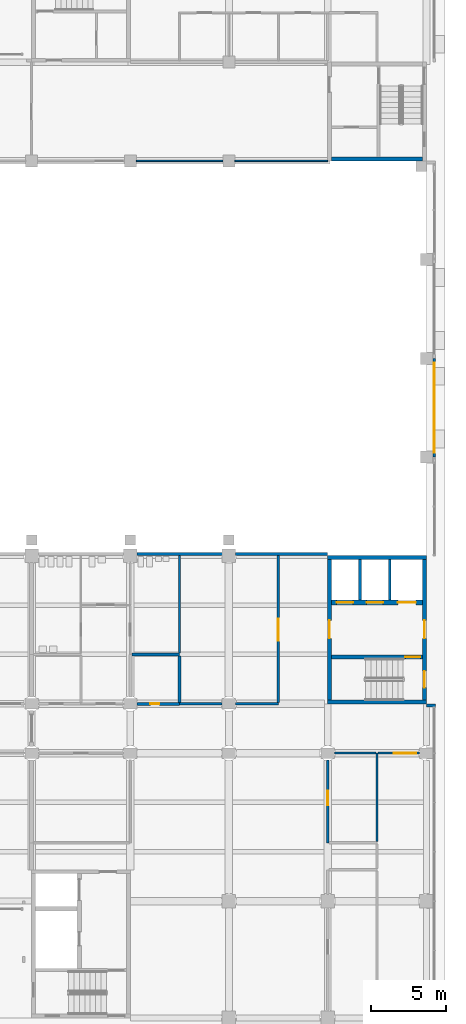
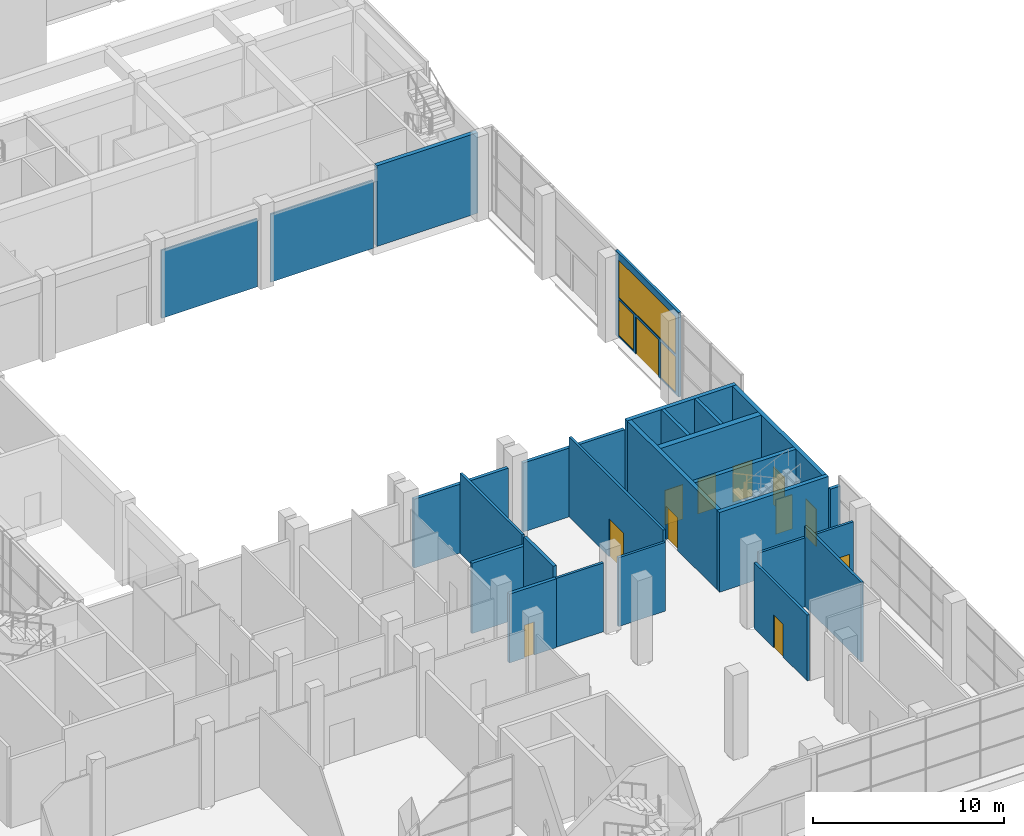
# One storey, part 33 of 85: 26 walls, 12 doors, 3 windows, 15 openings.
"""IFC4 building model written with IfcOpenShell, lengths in metres."""

from ifc_helpers import new_model, si_unit, direction, frame, frame_2d, origin, place, context, subcontext, project, spatial, rectangle, extrude, material, layer, layer_set, type_object, element, fill, save


model = new_model("IFC4")

# Units and contexts
model_context = context("Model", 3, precision=1e-05, world=origin(), true_north=direction((0.0, 1.0)))
body_context = subcontext(model_context, "Body", "Model", "MODEL_VIEW")
ifc_project = project(units=[si_unit("LENGTHUNIT", "METRE"), si_unit("AREAUNIT", "SQUARE_METRE"), si_unit("VOLUMEUNIT", "CUBIC_METRE"), si_unit("PLANEANGLEUNIT", "RADIAN"), si_unit("MASSUNIT", "GRAM", prefix="KILO")], contexts=[model_context])

# Site, building, storey
site_placement = place(None, origin())
site = spatial("IfcSite", under=ifc_project, at=site_placement, CompositionType="ELEMENT")
building_placement = place(site_placement, origin())
building = spatial("IfcBuilding", under=site, at=building_placement, Name="Lantern Court Research Institute", CompositionType="ELEMENT")
storey_placement = place(building_placement, origin())
storey = spatial("IfcBuildingStorey", under=building, at=storey_placement, Name="L00", CompositionType="ELEMENT", Elevation=0.0)

# Wall, opening, door
ifc_material_1 = material(Name="Fire-rated gypsum board partition, mineral wool filled")
ifc_layer_1 = layer(ifc_material_1, 0.199951171875)
ifc_layer_set_1 = layer_set([ifc_layer_1], Name="Fire-rated gypsum board partition, mineral wool filled")
wall_type_1 = type_object("IfcWallType", Name="Compartment wall 200 EI 120", PredefinedType="PARTITIONING", material=ifc_layer_set_1)
wall_1_placement = place(storey_placement, frame((59.85009765625, 13.199951171875, 0.0), z_axis=(0.0, 0.0, 1.0), x_axis=(1.0, 0.0, 0.0)))
wall_1 = element("IfcWall", 1, at=wall_1_placement, inside=storey, type_object=wall_type_1, Name="Compartment wall 200 EI 120", PredefinedType="PARTITIONING", context=body_context, shape_type="SweptSolid", body=[
    extrude(rectangle(XDim=2.849853515625, YDim=0.199951171875, at=frame_2d((1.4248046875, 0.0))), origin(), (0.0, 0.0, 1.0), 4.39990234375),
])
opening_1_placement = place(wall_1_placement, frame((0.89990234375, 0.0, 0.0)))
opening_1 = element("IfcOpeningElement", 2, at=opening_1_placement, cuts=wall_1, Name="Opening D5009", PredefinedType="OPENING", context=body_context, shape_type="SweptSolid", body=[
    extrude(rectangle(XDim=0.60009765625, YDim=2.10009765625, at=frame_2d((0.300048828125, 1.050048828125))), frame((0.0, 0.10986328125, 0.0), z_axis=(0.0, -1.0, 0.0), x_axis=(1.0, 0.0, 0.0)), (0.0, 0.0, 1.0), 0.219970703125),
])
ifc_material_2 = material(Name="Solid-core timber door leaf", Category="wood")
ifc_layer_2 = layer(ifc_material_2, 0.06005859375)
ifc_layer_set_2 = layer_set([ifc_layer_2], Name="Solid-core timber door leaf")
door_type_1 = type_object("IfcDoorType", Name="Service riser door 600 x 2100 single FD60", OperationType="NOTDEFINED", PredefinedType="DOOR", material=ifc_layer_set_2)
door_1_placement = place(opening_1_placement, origin())
door_1 = element("IfcDoor", 3, at=door_1_placement, inside=storey, type_object=door_type_1, Name="Door D5009", OperationType="SINGLE_SWING_RIGHT", OverallHeight=2.10009765625, OverallWidth=0.60009765625, PredefinedType="DOOR", context=body_context, shape_type="SweptSolid", body=[
    extrude(rectangle(XDim=0.60009765625, YDim=2.10009765625, at=frame_2d((0.300048828125, 1.050048828125))), frame((0.0, 0.030029296875, 0.0), z_axis=(0.0, -1.0, 0.0), x_axis=(1.0, 0.0, 0.0)), (0.0, 0.0, 1.0), 0.06005859375),
])
fill(opening_1, door_1)

# Walls
wall_2_placement = place(storey_placement, frame((62.699951171875, 16.5, 0.0), z_axis=(0.0, 0.0, 1.0), x_axis=(-1.0, 0.0, 0.0)))
element("IfcWall", 4, at=wall_2_placement, inside=storey, type_object=wall_type_1, Name="Compartment wall 200 EI 120", PredefinedType="PARTITIONING", context=body_context, shape_type="SweptSolid", body=[
    extrude(rectangle(XDim=3.199951171875, YDim=0.199951171875, at=frame_2d((1.60009765625, 0.0))), origin(), (0.0, 0.0, 1.0), 4.5),
])
wall_3_placement = place(storey_placement, frame((62.699951171875, 13.300048828125, 0.0), z_axis=(0.0, 0.0, 1.0), x_axis=(0.0, 1.0, 0.0)))
element("IfcWall", 5, at=wall_3_placement, inside=storey, type_object=wall_type_1, Name="Compartment wall 200 EI 120", PredefinedType="PARTITIONING", context=body_context, shape_type="SweptSolid", body=[
    extrude(rectangle(XDim=3.099853515625, YDim=0.199951171875, at=frame_2d((1.5498046875, 0.0))), origin(), (0.0, 0.0, 1.0), 5.10009765625),
])

# Wall, openings, windows, door
ifc_material_3 = material(Name="Aluminium alloy 6063-T6", Category="aluminium")
ifc_layer_3 = layer(ifc_material_3, 0.14990234375)
ifc_layer_set_3 = layer_set([ifc_layer_3], Name="Aluminium alloy 6063-T6")
wall_type_2 = type_object("IfcWallType", Name="Entrance screen wall 150 aluminium", PredefinedType="STANDARD", material=ifc_layer_set_3)
wall_4_placement = place(storey_placement, frame((79.72509765625, 36.300048828125, 0.0), z_axis=(0.0, 0.0, 1.0), x_axis=(0.0, -1.0, 0.0)))
wall_4 = element("IfcWall", 6, at=wall_4_placement, inside=storey, type_object=wall_type_2, Name="Exterior wall EW012", PredefinedType="STANDARD", context=body_context, shape_type="SweptSolid", body=[
    extrude(rectangle(XDim=6.60009765625, YDim=0.14990234375, at=frame_2d((3.300048828125, 0.0))), origin(), (0.0, 0.0, 1.0), 5.39990234375),
])
opening_2_placement = place(wall_4_placement, frame((2.10009765625, 0.0, 0.0)))
opening_2 = element("IfcOpeningElement", 7, at=opening_2_placement, cuts=wall_4, Name="Opening D2081", PredefinedType="OPENING", context=body_context, shape_type="SweptSolid", body=[
    extrude(rectangle(XDim=2.39990234375, YDim=2.39990234375, at=frame_2d((1.199951171875, 1.199951171875))), frame((0.0, 0.0849609375, 0.0), z_axis=(0.0, -1.0, 0.0), x_axis=(1.0, 0.0, 0.0)), (0.0, 0.0, 1.0), 0.169921875),
])
opening_3_placement = place(wall_4_placement, frame((4.699951171875, 0.0, 0.10009765625)))
opening_3 = element("IfcOpeningElement", 8, at=opening_3_placement, cuts=wall_4, Name="Opening W03", PredefinedType="OPENING", context=body_context, shape_type="SweptSolid", body=[
    extrude(rectangle(XDim=1.60009765625, YDim=2.300048828125, at=frame_2d((0.800048828125, 1.14990234375))), frame((0.0, 0.0849609375, 0.0), z_axis=(0.0, -1.0, 0.0), x_axis=(1.0, 0.0, 0.0)), (0.0, 0.0, 1.0), 0.169921875),
])
opening_4_placement = place(wall_4_placement, frame((0.300048828125, 0.0, 0.10009765625)))
opening_4 = element("IfcOpeningElement", 9, at=opening_4_placement, cuts=wall_4, Name="Opening W03", PredefinedType="OPENING", context=body_context, shape_type="SweptSolid", body=[
    extrude(rectangle(XDim=1.60009765625, YDim=2.300048828125, at=frame_2d((0.800048828125, 1.14990234375))), frame((0.0, 0.0849609375, 0.0), z_axis=(0.0, -1.0, 0.0), x_axis=(1.0, 0.0, 0.0)), (0.0, 0.0, 1.0), 0.169921875),
])
opening_5_placement = place(wall_4_placement, frame((0.300048828125, 0.0, 2.550048828125)))
opening_5 = element("IfcOpeningElement", 10, at=opening_5_placement, cuts=wall_4, Name="Opening W02", PredefinedType="OPENING", context=body_context, shape_type="SweptSolid", body=[
    extrude(rectangle(XDim=6.0, YDim=2.39990234375, at=frame_2d((3.0, 1.199951171875))), frame((0.0, 0.0849609375, 0.0), z_axis=(0.0, -1.0, 0.0), x_axis=(1.0, 0.0, 0.0)), (0.0, 0.0, 1.0), 0.169921875),
])
ifc_material_4 = material(Name="Aluminium frame with laminated low-emissivity glazing", Category="aluminium")
window_type_1 = type_object("IfcWindowType", Name="Entrance clerestory 6000 x 2400", PartitioningType="SINGLE_PANEL", PredefinedType="WINDOW", material=ifc_material_4)
window_1_placement = place(opening_5_placement, origin())
window_1 = element("IfcWindow", 11, at=window_1_placement, inside=storey, type_object=window_type_1, Name="Window W02 V2E L00", OverallHeight=2.39990234375, OverallWidth=6.0, PartitioningType="SINGLE_PANEL", PredefinedType="WINDOW", context=body_context, shape_type="SweptSolid", body=[
    extrude(rectangle(XDim=6.0, YDim=2.39990234375, at=frame_2d((3.0, 1.199951171875))), frame((0.0, 0.030029296875, 0.0), z_axis=(0.0, -1.0, 0.0), x_axis=(1.0, 0.0, 0.0)), (0.0, 0.0, 1.0), 0.06005859375),
])
fill(opening_5, window_1)
ifc_material_5 = material(Name="Aluminium frame with laminated glass", Category="aluminium")
door_type_2 = type_object("IfcDoorType", Name="Entrance door pair 2400 x 2400 aluminium glazed", OperationType="NOTDEFINED", PredefinedType="DOOR", material=ifc_material_5)
door_2_placement = place(opening_2_placement, origin())
door_2 = element("IfcDoor", 12, at=door_2_placement, inside=storey, type_object=door_type_2, Name="Exterior door D2081", OperationType="DOUBLE_DOOR_SINGLE_SWING", OverallHeight=2.39990234375, OverallWidth=2.39990234375, PredefinedType="DOOR", context=body_context, shape_type="SweptSolid", body=[
    extrude(rectangle(XDim=2.39990234375, YDim=2.39990234375, at=frame_2d((1.199951171875, 1.199951171875))), frame((0.0, 0.02490234375, 0.0), z_axis=(0.0, -1.0, 0.0), x_axis=(1.0, 0.0, 0.0)), (0.0, 0.0, 1.0), 0.050048828125),
])
fill(opening_2, door_2)
ifc_material_6 = material(Name="Aluminium frame with laminated low-emissivity glazing", Category="aluminium")
window_type_2 = type_object("IfcWindowType", Name="Entrance sidelight 1600 x 2300", PartitioningType="SINGLE_PANEL", PredefinedType="WINDOW", material=ifc_material_6)
window_2_placement = place(opening_3_placement, origin())
window_2 = element("IfcWindow", 13, at=window_2_placement, inside=storey, type_object=window_type_2, Name="Window W03 V2E L00", OverallHeight=2.300048828125, OverallWidth=1.60009765625, PartitioningType="SINGLE_PANEL", PredefinedType="WINDOW", context=body_context, shape_type="SweptSolid", body=[
    extrude(rectangle(XDim=1.60009765625, YDim=2.300048828125, at=frame_2d((0.800048828125, 1.14990234375))), frame((0.0, 0.030029296875, 0.0), z_axis=(0.0, -1.0, 0.0), x_axis=(1.0, 0.0, 0.0)), (0.0, 0.0, 1.0), 0.06005859375),
])
fill(opening_3, window_2)
window_3_placement = place(opening_4_placement, origin())
window_3 = element("IfcWindow", 14, at=window_3_placement, inside=storey, type_object=window_type_2, Name="Window W03 V2E L00", OverallHeight=2.300048828125, OverallWidth=1.60009765625, PartitioningType="SINGLE_PANEL", PredefinedType="WINDOW", context=body_context, shape_type="SweptSolid", body=[
    extrude(rectangle(XDim=1.60009765625, YDim=2.300048828125, at=frame_2d((0.800048828125, 1.14990234375))), frame((0.0, 0.030029296875, 0.0), z_axis=(0.0, -1.0, 0.0), x_axis=(1.0, 0.0, 0.0)), (0.0, 0.0, 1.0), 0.06005859375),
])
fill(opening_4, window_3)

# Walls
ifc_material_7 = material(Name="Fire-resistant laminated glass in aluminium frame", Category="aluminium")
ifc_layer_4 = layer(ifc_material_7, 0.10009765625)
ifc_layer_set_4 = layer_set([ifc_layer_4], Name="Fire-resistant laminated glass in aluminium frame")
wall_type_3 = type_object("IfcWallType", Name="Glazed screen 100 mm EI 60", PredefinedType="PARTITIONING", material=ifc_layer_set_4)
wall_5_placement = place(storey_placement, frame((59.800048828125, 49.5, 0.0), z_axis=(0.0, 0.0, 1.0), x_axis=(1.0, 0.0, 0.0)))
element("IfcWall", 15, at=wall_5_placement, inside=storey, type_object=wall_type_3, Name="Wall V2-L00-008", PredefinedType="PARTITIONING", context=body_context, shape_type="SweptSolid", body=[
    extrude(rectangle(XDim=5.800048828125, YDim=0.10009765625, at=frame_2d((2.89990234375, 0.0))), origin(), (0.0, 0.0, 1.0), 4.35009765625),
])
wall_6_placement = place(storey_placement, frame((66.39990234375, 49.5, 0.0), z_axis=(0.0, 0.0, 1.0), x_axis=(1.0, 0.0, 0.0)))
element("IfcWall", 16, at=wall_6_placement, inside=storey, type_object=wall_type_3, Name="Wall V2-L00-009", PredefinedType="PARTITIONING", context=body_context, shape_type="SweptSolid", body=[
    extrude(rectangle(XDim=6.2001953125, YDim=0.10009765625, at=frame_2d((3.10009765625, 0.0))), origin(), (0.0, 0.0, 1.0), 4.35009765625),
])

# Wall, opening, door
ifc_material_8 = material(Name="Fire-rated gypsum board partition, mineral wool filled")
ifc_layer_5 = layer(ifc_material_8, 0.14990234375)
ifc_layer_set_5 = layer_set([ifc_layer_5], Name="Fire-rated gypsum board partition, mineral wool filled")
wall_type_4 = type_object("IfcWallType", Name="Laboratory partition 150 EI 60", PredefinedType="PARTITIONING", material=ifc_layer_set_5)
wall_7_placement = place(storey_placement, frame((72.60009765625, 9.449951171875, 0.0), z_axis=(0.0, 0.0, 1.0), x_axis=(0.0, -1.0, 0.0)))
wall_7 = element("IfcWall", 17, at=wall_7_placement, inside=storey, type_object=wall_type_4, Name="Laboratory partition 150 EI 60", PredefinedType="PARTITIONING", context=body_context, shape_type="SweptSolid", body=[
    extrude(rectangle(XDim=5.550048828125, YDim=0.14990234375, at=frame_2d((2.77490234375, 0.0))), origin(), (0.0, 0.0, 1.0), 4.199951171875),
])
opening_6_placement = place(wall_7_placement, frame((2.050048828125, 0.0, 0.0)))
opening_6 = element("IfcOpeningElement", 18, at=opening_6_placement, cuts=wall_7, Name="Opening D5003", PredefinedType="OPENING", context=body_context, shape_type="SweptSolid", body=[
    extrude(rectangle(XDim=1.0, YDim=2.10009765625, at=frame_2d((0.5, 1.050048828125))), frame((0.0, 0.0849609375, 0.0), z_axis=(0.0, -1.0, 0.0), x_axis=(1.0, 0.0, 0.0)), (0.0, 0.0, 1.0), 0.169921875),
])
ifc_material_9 = material(Name="Solid-core timber door leaf", Category="wood")
ifc_layer_6 = layer(ifc_material_9, 0.053955078125)
ifc_layer_set_6 = layer_set([ifc_layer_6], Name="Solid-core timber door leaf")
door_type_3 = type_object("IfcDoorType", Name="Control room door 1000 x 2100 single FD30S", OperationType="NOTDEFINED", PredefinedType="DOOR", material=ifc_layer_set_6)
door_3_placement = place(opening_6_placement, origin())
door_3 = element("IfcDoor", 19, at=door_3_placement, inside=storey, type_object=door_type_3, Name="Door D5003", OperationType="SINGLE_SWING_RIGHT", OverallHeight=2.10009765625, OverallWidth=1.0, PredefinedType="DOOR", context=body_context, shape_type="SweptSolid", body=[
    extrude(rectangle(XDim=1.0, YDim=2.10009765625, at=frame_2d((0.5, 1.050048828125))), frame((0.0, 0.02685546875, 0.0), z_axis=(0.0, -1.0, 0.0), x_axis=(1.0, 0.0, 0.0)), (0.0, 0.0, 1.0), 0.053955078125),
])
fill(opening_6, door_3)

# Walls
wall_8_placement = place(storey_placement, frame((75.89990234375, 3.97509765625, 0.0), z_axis=(0.0, 0.0, 1.0), x_axis=(0.0, 1.0, 0.0)))
element("IfcWall", 20, at=wall_8_placement, inside=storey, type_object=wall_type_4, Name="Laboratory partition 150 EI 60", PredefinedType="PARTITIONING", context=body_context, shape_type="SweptSolid", body=[
    extrude(rectangle(XDim=5.9248046875, YDim=0.14990234375, at=frame_2d((2.96240234375, 0.0))), origin(), (0.0, 0.0, 1.0), 5.10009765625),
])
wall_9_placement = place(storey_placement, frame((75.824951171875, 9.89990234375, 0.0), z_axis=(0.0, 0.0, 1.0), x_axis=(-1.0, 0.0, 0.0)))
element("IfcWall", 21, at=wall_9_placement, inside=storey, type_object=wall_type_4, Name="Laboratory partition 150 EI 60", PredefinedType="PARTITIONING", context=body_context, shape_type="SweptSolid", body=[
    extrude(rectangle(XDim=2.77490234375, YDim=0.14990234375, at=frame_2d((1.387451171875, 0.0))), origin(), (0.0, 0.0, 1.0), 4.39990234375),
])

# Wall, opening, door
wall_10_placement = place(storey_placement, frame((75.97509765625, 9.89990234375, 0.0), z_axis=(0.0, 0.0, 1.0), x_axis=(1.0, 0.0, 0.0)))
wall_10 = element("IfcWall", 22, at=wall_10_placement, inside=storey, type_object=wall_type_4, Name="Laboratory partition 150 EI 60", PredefinedType="PARTITIONING", context=body_context, shape_type="SweptSolid", body=[
    extrude(rectangle(XDim=2.77490234375, YDim=0.14990234375, at=frame_2d((1.387451171875, 0.0))), origin(), (0.0, 0.0, 1.0), 4.39990234375),
])
opening_7_placement = place(wall_10_placement, frame((1.050048828125, 0.0, 0.0)))
opening_7 = element("IfcOpeningElement", 23, at=opening_7_placement, cuts=wall_10, Name="Opening D5004", PredefinedType="OPENING", context=body_context, shape_type="SweptSolid", body=[
    extrude(rectangle(XDim=1.5, YDim=2.39990234375, at=frame_2d((0.75, 1.199951171875))), frame((0.0, 0.0849609375, 0.0), z_axis=(0.0, -1.0, 0.0), x_axis=(1.0, 0.0, 0.0)), (0.0, 0.0, 1.0), 0.169921875),
])
ifc_material_10 = material(Name="Solid-core timber door leaf", Category="wood")
ifc_layer_7 = layer(ifc_material_10, 0.053955078125)
ifc_layer_set_7 = layer_set([ifc_layer_7], Name="Solid-core timber door leaf")
door_type_4 = type_object("IfcDoorType", Name="Electron microscopy suite door 1500 x 2400 pair FD30S", OperationType="DOUBLE_DOOR_SINGLE_SWING", PredefinedType="DOOR", material=ifc_layer_set_7)
door_4_placement = place(opening_7_placement, origin())
door_4 = element("IfcDoor", 24, at=door_4_placement, inside=storey, type_object=door_type_4, Name="Door D5004", OperationType="DOUBLE_DOOR_SINGLE_SWING", OverallHeight=2.39990234375, OverallWidth=1.5, PredefinedType="DOOR", context=body_context, shape_type="SweptSolid", body=[
    extrude(rectangle(XDim=1.5, YDim=2.39990234375, at=frame_2d((0.75, 1.199951171875))), frame((0.0, 0.02685546875, 0.0), z_axis=(0.0, -1.0, 0.0), x_axis=(1.0, 0.0, 0.0)), (0.0, 0.0, 1.0), 0.053955078125),
])
fill(opening_7, door_4)

# Walls
for number, where, z_axis, x_axis, name in (
    (25, (69.300048828125, 13.199951171875, 0.0), (0.0, 0.0, 1.0), (-1.0, 0.0, 0.0), "Laboratory partition 150 EI 60"),
    (26, (65.550048828125, 13.199951171875, 0.0), (0.0, 0.0, 1.0), (-1.0, 0.0, 0.0), "Laboratory partition 150 EI 60"),
):
    element("IfcWall", number, at=place(storey_placement, frame(where, z_axis=z_axis, x_axis=x_axis)), inside=storey, type_object=wall_type_4, Name=name, PredefinedType="PARTITIONING", context=body_context, shape_type="SweptSolid", body=[
        extrude(rectangle(XDim=2.85009765625, YDim=0.14990234375, at=frame_2d((1.425048828125, 0.0))), origin(), (0.0, 0.0, 1.0), 4.39990234375),
    ])
wall_11_placement = place(storey_placement, frame((62.699951171875, 16.60009765625, 0.0), z_axis=(0.0, 0.0, 1.0), x_axis=(0.0, 1.0, 0.0)))
element("IfcWall", 27, at=wall_11_placement, inside=storey, type_object=wall_type_4, Name="Laboratory partition 150 EI 60", PredefinedType="PARTITIONING", context=body_context, shape_type="SweptSolid", body=[
    extrude(rectangle(XDim=6.5, YDim=0.14990234375, at=frame_2d((3.25, 0.0))), origin(), (0.0, 0.0, 1.0), 5.10009765625),
])

# Wall, opening, door
wall_12_placement = place(storey_placement, frame((69.300048828125, 23.10009765625, 0.0), z_axis=(0.0, 0.0, 1.0), x_axis=(0.0, -1.0, 0.0)))
wall_12 = element("IfcWall", 28, at=wall_12_placement, inside=storey, type_object=wall_type_4, Name="Laboratory partition 150 EI 60", PredefinedType="PARTITIONING", context=body_context, shape_type="SweptSolid", body=[
    extrude(rectangle(XDim=9.8251953125, YDim=0.14990234375, at=frame_2d((4.91259765625, 0.0))), origin(), (0.0, 0.0, 1.0), 5.10009765625),
])
opening_8_placement = place(wall_12_placement, frame((4.199951171875, 0.0, 0.0)))
opening_8 = element("IfcOpeningElement", 29, at=opening_8_placement, cuts=wall_12, Name="Opening D5011", PredefinedType="OPENING", context=body_context, shape_type="SweptSolid", body=[
    extrude(rectangle(XDim=1.5, YDim=2.39990234375, at=frame_2d((0.75, 1.199951171875))), frame((0.0, 0.0849609375, 0.0), z_axis=(0.0, -1.0, 0.0), x_axis=(1.0, 0.0, 0.0)), (0.0, 0.0, 1.0), 0.169921875),
])
door_5_placement = place(opening_8_placement, origin())
door_5 = element("IfcDoor", 30, at=door_5_placement, inside=storey, type_object=door_type_4, Name="Door D5011", OperationType="DOUBLE_DOOR_SINGLE_SWING", OverallHeight=2.39990234375, OverallWidth=1.5, PredefinedType="DOOR", context=body_context, shape_type="SweptSolid", body=[
    extrude(rectangle(XDim=1.5, YDim=2.39990234375, at=frame_2d((0.75, 1.199951171875))), frame((0.0, 0.02685546875, 0.0), z_axis=(0.0, -1.0, 0.0), x_axis=(1.0, 0.0, 0.0)), (0.0, 0.0, 1.0), 0.053955078125),
])
fill(opening_8, door_5)

# Walls
ifc_material_11 = material(Name="Fire-rated blockwork", Category="masonry")
ifc_layer_8 = layer(ifc_material_11, 0.199951171875)
ifc_layer_set_8 = layer_set([ifc_layer_8], Name="Fire-rated blockwork")
wall_type_5 = type_object("IfcWallType", Name="Party wall 200 mm EI 120", PredefinedType="PARTITIONING", material=ifc_layer_set_8)
wall_13_placement = place(storey_placement, frame((59.85009765625, 23.199951171875, 0.0), z_axis=(0.0, 0.0, 1.0), x_axis=(1.0, 0.0, 0.0)))
element("IfcWall", 31, at=wall_13_placement, inside=storey, type_object=wall_type_5, Name="Wall V2-L00-004", PredefinedType="PARTITIONING", context=body_context, shape_type="SweptSolid", body=[
    extrude(rectangle(XDim=5.699951171875, YDim=0.199951171875, at=frame_2d((2.85009765625, 0.0))), origin(), (0.0, 0.0, 1.0), 4.39990234375),
])
wall_14_placement = place(storey_placement, frame((66.449951171875, 23.199951171875, 0.0), z_axis=(0.0, 0.0, 1.0), x_axis=(1.0, 0.0, 0.0)))
element("IfcWall", 32, at=wall_14_placement, inside=storey, type_object=wall_type_5, Name="Wall V2-L00-005", PredefinedType="PARTITIONING", context=body_context, shape_type="SweptSolid", body=[
    extrude(rectangle(XDim=6.150146484375, YDim=0.199951171875, at=frame_2d((3.0751953125, 0.0))), origin(), (0.0, 0.0, 1.0), 4.39990234375),
])
ifc_material_12 = material(Name="Concrete C40/50", Category="concrete")
ifc_layer_9 = layer(ifc_material_12, 0.25)
ifc_layer_set_9 = layer_set([ifc_layer_9], Name="Concrete C40/50")
wall_type_6 = type_object("IfcWallType", Name="RC core wall 250", PredefinedType="SHEAR", material=ifc_layer_set_9)
for number, where, z_axis, x_axis, name in (
    (33, (72.60009765625, 13.324951171875, 0.0), (0.0, 0.0, 1.0), (1.0, 0.0, 0.0), "South wall of core TC-E"),
    (34, (72.60009765625, 22.97509765625, 0.0), (0.0, 0.0, 1.0), (1.0, 0.0, 0.0), "North wall of core TC-E"),
):
    element("IfcWall", number, at=place(storey_placement, frame(where, z_axis=z_axis, x_axis=x_axis)), inside=storey, type_object=wall_type_6, Name=name, PredefinedType="SHEAR", context=body_context, shape_type="SweptSolid", body=[
        extrude(rectangle(XDim=6.599853515625, YDim=0.25, at=frame_2d((3.2998046875, 0.0))), origin(), (0.0, 0.0, 1.0), 5.10009765625),
    ])

# Wall, opening, door
wall_15_placement = place(storey_placement, frame((72.72509765625, 13.449951171875, 0.0), z_axis=(0.0, 0.0, 1.0), x_axis=(0.0, 1.0, 0.0)))
wall_15 = element("IfcWall", 35, at=wall_15_placement, inside=storey, type_object=wall_type_6, Name="West wall of core TC-E", PredefinedType="SHEAR", context=body_context, shape_type="SweptSolid", body=[
    extrude(rectangle(XDim=9.400146484375, YDim=0.25, at=frame_2d((4.7001953125, 0.0))), origin(), (0.0, 0.0, 1.0), 5.10009765625),
])
opening_9_placement = place(wall_15_placement, frame((4.125, 0.0, 0.0)))
opening_9 = element("IfcOpeningElement", 36, at=opening_9_placement, cuts=wall_15, Name="Opening D7145", PredefinedType="OPENING", context=body_context, shape_type="SweptSolid", body=[
    extrude(rectangle(XDim=1.199951171875, YDim=2.10009765625, at=frame_2d((0.60009765625, 1.050048828125))), frame((0.0, 0.135009765625, 0.0), z_axis=(0.0, -1.0, 0.0), x_axis=(1.0, 0.0, 0.0)), (0.0, 0.0, 1.0), 0.27001953125),
])
ifc_material_13 = material(Name="Steel fire door leaf with smoke seals", Category="steel")
door_type_5 = type_object("IfcDoorType", Name="Door 1200 x 2100 fire rated FD60S", OperationType="NOTDEFINED", PredefinedType="DOOR", material=ifc_material_13)
door_6_placement = place(opening_9_placement, origin())
door_6 = element("IfcDoor", 37, at=door_6_placement, inside=storey, type_object=door_type_5, Name="Lobby door", OperationType="SINGLE_SWING_LEFT", OverallHeight=2.10009765625, OverallWidth=1.199951171875, PredefinedType="DOOR", context=body_context, shape_type="SweptSolid", body=[
    extrude(rectangle(XDim=1.199951171875, YDim=2.10009765625, at=frame_2d((0.60009765625, 1.050048828125))), frame((0.0, 0.02490234375, 0.0), z_axis=(0.0, -1.0, 0.0), x_axis=(1.0, 0.0, 0.0)), (0.0, 0.0, 1.0), 0.050048828125),
])
fill(opening_9, door_6)

# Wall
wall_16_placement = place(storey_placement, frame((72.85009765625, 49.625, 0.0), z_axis=(0.0, 0.0, 1.0), x_axis=(1.0, 0.0, 0.0)))
element("IfcWall", 38, at=wall_16_placement, inside=storey, type_object=wall_type_6, Name="South wall of core HC-B", PredefinedType="SHEAR", context=body_context, shape_type="SweptSolid", body=[
    extrude(rectangle(XDim=6.099853515625, YDim=0.25, at=frame_2d((3.0498046875, 0.0))), origin(), (0.0, 0.0, 1.0), 5.14990234375),
])

# Wall, openings, doors
ifc_material_14 = material(Name="Concrete C40/50", Category="concrete")
ifc_layer_10 = layer(ifc_material_14, 0.25)
ifc_layer_set_10 = layer_set([ifc_layer_10], Name="Concrete C40/50")
wall_type_7 = type_object("IfcWallType", Name="RC core wall 250 facade", PredefinedType="SHEAR", material=ifc_layer_set_10)
wall_17_placement = place(storey_placement, frame((79.074951171875, 13.449951171875, 0.0), z_axis=(0.0, 0.0, 1.0), x_axis=(0.0, 1.0, 0.0)))
wall_17 = element("IfcWall", 39, at=wall_17_placement, inside=storey, type_object=wall_type_7, Name="East wall of core TC-E", PredefinedType="SHEAR", context=body_context, shape_type="SweptSolid", body=[
    extrude(rectangle(XDim=9.400146484375, YDim=0.25, at=frame_2d((4.7001953125, 0.0))), origin(), (0.0, 0.0, 1.0), 5.10009765625),
])
opening_10_placement = place(wall_17_placement, frame((4.125, 0.0, 0.0)))
opening_10 = element("IfcOpeningElement", 40, at=opening_10_placement, cuts=wall_17, Name="Opening D7147", PredefinedType="OPENING", context=body_context, shape_type="SweptSolid", body=[
    extrude(rectangle(XDim=1.199951171875, YDim=2.39990234375, at=frame_2d((0.60009765625, 1.199951171875))), frame((0.0, 0.135009765625, 0.0), z_axis=(0.0, -1.0, 0.0), x_axis=(1.0, 0.0, 0.0)), (0.0, 0.0, 1.0), 0.27001953125),
])
opening_11_placement = place(wall_17_placement, frame((0.824951171875, 0.0, 0.0)))
opening_11 = element("IfcOpeningElement", 41, at=opening_11_placement, cuts=wall_17, Name="Opening D7148", PredefinedType="OPENING", context=body_context, shape_type="SweptSolid", body=[
    extrude(rectangle(XDim=1.10009765625, YDim=2.39990234375, at=frame_2d((0.550048828125, 1.199951171875))), frame((0.0, 0.135009765625, 0.0), z_axis=(0.0, -1.0, 0.0), x_axis=(1.0, 0.0, 0.0)), (0.0, 0.0, 1.0), 0.27001953125),
])
ifc_material_15 = material(Name="Steel fire door leaf with smoke seals", Category="steel")
door_type_6 = type_object("IfcDoorType", Name="Door 1100 x 2400 fire rated FD60S", OperationType="NOTDEFINED", PredefinedType="DOOR", material=ifc_material_15)
door_7_placement = place(opening_11_placement, origin())
door_7 = element("IfcDoor", 42, at=door_7_placement, inside=storey, type_object=door_type_6, Name="Stair exit door", OperationType="SINGLE_SWING_LEFT", OverallHeight=2.39990234375, OverallWidth=1.10009765625, PredefinedType="DOOR", context=body_context, shape_type="SweptSolid", body=[
    extrude(rectangle(XDim=1.10009765625, YDim=2.39990234375, at=frame_2d((0.550048828125, 1.199951171875))), frame((0.0, 0.02490234375, 0.0), z_axis=(0.0, -1.0, 0.0), x_axis=(1.0, 0.0, 0.0)), (0.0, 0.0, 1.0), 0.050048828125),
])
fill(opening_11, door_7)
ifc_material_16 = material(Name="Steel fire door leaf with smoke seals", Category="steel")
door_type_7 = type_object("IfcDoorType", Name="Door 1200 x 2400 fire rated FD60S", OperationType="NOTDEFINED", PredefinedType="DOOR", material=ifc_material_16)
door_8_placement = place(opening_10_placement, origin())
door_8 = element("IfcDoor", 43, at=door_8_placement, inside=storey, type_object=door_type_7, Name="Lobby exit door", OperationType="SINGLE_SWING_LEFT", OverallHeight=2.39990234375, OverallWidth=1.199951171875, PredefinedType="DOOR", context=body_context, shape_type="SweptSolid", body=[
    extrude(rectangle(XDim=1.199951171875, YDim=2.39990234375, at=frame_2d((0.60009765625, 1.199951171875))), frame((0.0, 0.02490234375, 0.0), z_axis=(0.0, -1.0, 0.0), x_axis=(1.0, 0.0, 0.0)), (0.0, 0.0, 1.0), 0.050048828125),
])
fill(opening_10, door_8)

# Walls
ifc_material_17 = material(Name="Concrete C40/50", Category="concrete")
ifc_layer_11 = layer(ifc_material_17, 0.199951171875)
ifc_layer_set_11 = layer_set([ifc_layer_11], Name="Concrete C40/50")
wall_type_8 = type_object("IfcWallType", Name="RC shaft wall 200", PredefinedType="SHEAR", material=ifc_layer_set_11)
for number, where, z_axis, x_axis, name in (
    (44, (74.75, 20.14990234375, 0.0), (0.0, 0.0, 1.0), (0.0, 1.0, 0.0), "Lift shaft wall of core TC-E"),
    (45, (76.75, 20.14990234375, 0.0), (0.0, 0.0, 1.0), (0.0, 1.0, 0.0), "Lift shaft wall of core TC-E"),
):
    element("IfcWall", number, at=place(storey_placement, frame(where, z_axis=z_axis, x_axis=x_axis)), inside=storey, type_object=wall_type_8, Name=name, PredefinedType="SHEAR", context=body_context, shape_type="SweptSolid", body=[
        extrude(rectangle(XDim=2.7001953125, YDim=0.199951171875, at=frame_2d((1.35009765625, 0.0))), origin(), (0.0, 0.0, 1.0), 5.10009765625),
    ])

# Wall, opening, door
ifc_material_18 = material(Name="Concrete C40/50", Category="concrete")
ifc_layer_12 = layer(ifc_material_18, 0.25)
ifc_layer_set_12 = layer_set([ifc_layer_12], Name="Concrete C40/50")
wall_type_9 = type_object("IfcWallType", Name="RC shaft wall 250", PredefinedType="SHEAR", material=ifc_layer_set_12)
wall_18_placement = place(storey_placement, frame((72.85009765625, 16.324951171875, 0.0), z_axis=(0.0, 0.0, 1.0), x_axis=(1.0, 0.0, 0.0)))
wall_18 = element("IfcWall", 46, at=wall_18_placement, inside=storey, type_object=wall_type_9, Name="Stair wall of core TC-E", PredefinedType="SHEAR", context=body_context, shape_type="SweptSolid", body=[
    extrude(rectangle(XDim=6.099853515625, YDim=0.25, at=frame_2d((3.0498046875, 0.0))), origin(), (0.0, 0.0, 1.0), 5.10009765625),
])
opening_12_placement = place(wall_18_placement, frame((4.949951171875, 0.0, 0.0)))
opening_12 = element("IfcOpeningElement", 47, at=opening_12_placement, cuts=wall_18, Name="Opening D7146", PredefinedType="OPENING", context=body_context, shape_type="SweptSolid", body=[
    extrude(rectangle(XDim=1.0, YDim=2.199951171875, at=frame_2d((0.5, 1.10009765625))), frame((0.0, 0.135009765625, 0.0), z_axis=(0.0, -1.0, 0.0), x_axis=(1.0, 0.0, 0.0)), (0.0, 0.0, 1.0), 0.27001953125),
])
ifc_material_19 = material(Name="Steel fire door leaf with smoke seals", Category="steel")
door_type_8 = type_object("IfcDoorType", Name="Door 1000 x 2200 fire rated FD60S", OperationType="NOTDEFINED", PredefinedType="DOOR", material=ifc_material_19)
door_9_placement = place(opening_12_placement, origin())
door_9 = element("IfcDoor", 48, at=door_9_placement, inside=storey, type_object=door_type_8, Name="Stair door", OperationType="SINGLE_SWING_RIGHT", OverallHeight=2.199951171875, OverallWidth=1.0, PredefinedType="DOOR", context=body_context, shape_type="SweptSolid", body=[
    extrude(rectangle(XDim=1.0, YDim=2.199951171875, at=frame_2d((0.5, 1.10009765625))), frame((0.0, 0.02490234375, 0.0), z_axis=(0.0, -1.0, 0.0), x_axis=(1.0, 0.0, 0.0)), (0.0, 0.0, 1.0), 0.050048828125),
])
fill(opening_12, door_9)

# Wall, openings, doors
ifc_material_20 = material(Name="Concrete C40/50", Category="concrete")
ifc_layer_13 = layer(ifc_material_20, 0.35009765625)
ifc_layer_set_13 = layer_set([ifc_layer_13], Name="Concrete C40/50")
wall_type_10 = type_object("IfcWallType", Name="RC shaft wall 350", PredefinedType="SHEAR", material=ifc_layer_set_13)
wall_19_placement = place(storey_placement, frame((72.85009765625, 19.97509765625, 0.0), z_axis=(0.0, 0.0, 1.0), x_axis=(1.0, 0.0, 0.0)))
wall_19 = element("IfcWall", 49, at=wall_19_placement, inside=storey, type_object=wall_type_10, Name="Lift shaft wall of core TC-E", PredefinedType="SHEAR", context=body_context, shape_type="SweptSolid", body=[
    extrude(rectangle(XDim=6.099853515625, YDim=0.35009765625, at=frame_2d((3.0498046875, 0.0))), origin(), (0.0, 0.0, 1.0), 5.10009765625),
])
opening_13_placement = place(wall_19_placement, frame((0.35009765625, 0.0, 0.0)))
opening_13 = element("IfcOpeningElement", 50, at=opening_13_placement, cuts=wall_19, Name="Opening D7149", PredefinedType="OPENING", context=body_context, shape_type="SweptSolid", body=[
    extrude(rectangle(XDim=1.10009765625, YDim=2.199951171875, at=frame_2d((0.550048828125, 1.10009765625))), frame((0.0, 0.18505859375, 0.0), z_axis=(0.0, -1.0, 0.0), x_axis=(1.0, 0.0, 0.0)), (0.0, 0.0, 1.0), 0.3701171875),
])
opening_14_placement = place(wall_19_placement, frame((2.35009765625, 0.0, 0.0)))
opening_14 = element("IfcOpeningElement", 51, at=opening_14_placement, cuts=wall_19, Name="Opening D7150", PredefinedType="OPENING", context=body_context, shape_type="SweptSolid", body=[
    extrude(rectangle(XDim=1.10009765625, YDim=2.199951171875, at=frame_2d((0.550048828125, 1.10009765625))), frame((0.0, 0.18505859375, 0.0), z_axis=(0.0, -1.0, 0.0), x_axis=(1.0, 0.0, 0.0)), (0.0, 0.0, 1.0), 0.3701171875),
])
opening_15_placement = place(wall_19_placement, frame((4.449951171875, 0.0, 0.0)))
opening_15 = element("IfcOpeningElement", 52, at=opening_15_placement, cuts=wall_19, Name="Opening D7151", PredefinedType="OPENING", context=body_context, shape_type="SweptSolid", body=[
    extrude(rectangle(XDim=1.199951171875, YDim=2.300048828125, at=frame_2d((0.60009765625, 1.14990234375))), frame((0.0, 0.18505859375, 0.0), z_axis=(0.0, -1.0, 0.0), x_axis=(1.0, 0.0, 0.0)), (0.0, 0.0, 1.0), 0.3701171875),
])
ifc_material_21 = material(Name="Stainless steel landing door panels", Category="steel")
door_type_9 = type_object("IfcDoorType", Name="Lift landing door 1100 x 2200 sliding FD60", OperationType="DOUBLE_DOOR_SLIDING", PredefinedType="NOTDEFINED", material=ifc_material_21)
door_10_placement = place(opening_13_placement, origin())
door_10 = element("IfcDoor", 53, at=door_10_placement, inside=storey, type_object=door_type_9, Name="Landing door", OperationType="DOUBLE_DOOR_SLIDING", OverallHeight=2.199951171875, OverallWidth=1.10009765625, PredefinedType="NOTDEFINED", context=body_context, shape_type="SweptSolid", body=[
    extrude(rectangle(XDim=1.10009765625, YDim=2.199951171875, at=frame_2d((0.550048828125, 1.10009765625))), frame((0.0, 0.02490234375, 0.0), z_axis=(0.0, -1.0, 0.0), x_axis=(1.0, 0.0, 0.0)), (0.0, 0.0, 1.0), 0.050048828125),
])
fill(opening_13, door_10)
door_11_placement = place(opening_14_placement, origin())
door_11 = element("IfcDoor", 54, at=door_11_placement, inside=storey, type_object=door_type_9, Name="Landing door", OperationType="DOUBLE_DOOR_SLIDING", OverallHeight=2.199951171875, OverallWidth=1.10009765625, PredefinedType="NOTDEFINED", context=body_context, shape_type="SweptSolid", body=[
    extrude(rectangle(XDim=1.10009765625, YDim=2.199951171875, at=frame_2d((0.550048828125, 1.10009765625))), frame((0.0, 0.02490234375, 0.0), z_axis=(0.0, -1.0, 0.0), x_axis=(1.0, 0.0, 0.0)), (0.0, 0.0, 1.0), 0.050048828125),
])
fill(opening_14, door_11)
ifc_material_22 = material(Name="Stainless steel landing door panels", Category="steel")
door_type_10 = type_object("IfcDoorType", Name="Lift landing door 1200 x 2300 sliding FD60", OperationType="DOUBLE_DOOR_SLIDING", PredefinedType="NOTDEFINED", material=ifc_material_22)
door_12_placement = place(opening_15_placement, origin())
door_12 = element("IfcDoor", 55, at=door_12_placement, inside=storey, type_object=door_type_10, Name="Landing door", OperationType="DOUBLE_DOOR_SLIDING", OverallHeight=2.300048828125, OverallWidth=1.199951171875, PredefinedType="NOTDEFINED", context=body_context, shape_type="SweptSolid", body=[
    extrude(rectangle(XDim=1.199951171875, YDim=2.300048828125, at=frame_2d((0.60009765625, 1.14990234375))), frame((0.0, 0.02490234375, 0.0), z_axis=(0.0, -1.0, 0.0), x_axis=(1.0, 0.0, 0.0)), (0.0, 0.0, 1.0), 0.050048828125),
])
fill(opening_15, door_12)

# Wall
ifc_material_23 = material(Name="Concrete C40/50", Category="concrete")
ifc_layer_14 = layer(ifc_material_23, 0.199951171875)
ifc_layer_set_14 = layer_set([ifc_layer_14], Name="Concrete C40/50")
wall_type_11 = type_object("IfcWallType", Name="Return wall 200 concrete EI 120 aluminium faced", PredefinedType="STANDARD", material=ifc_layer_set_14)
wall_20_placement = place(storey_placement, frame((79.199951171875, 13.10009765625, 0.0), z_axis=(0.0, 0.0, 1.0), x_axis=(1.0, 0.0, 0.0)))
element("IfcWall", 56, at=wall_20_placement, inside=storey, type_object=wall_type_11, Name="Core return wall 08", PredefinedType="STANDARD", context=body_context, shape_type="SweptSolid", body=[
    extrude(rectangle(XDim=0.60009765625, YDim=0.199951171875, at=frame_2d((0.300048828125, 0.0))), origin(), (0.0, 0.0, 1.0), 4.39990234375),
])

save(model, "model.ifc")
